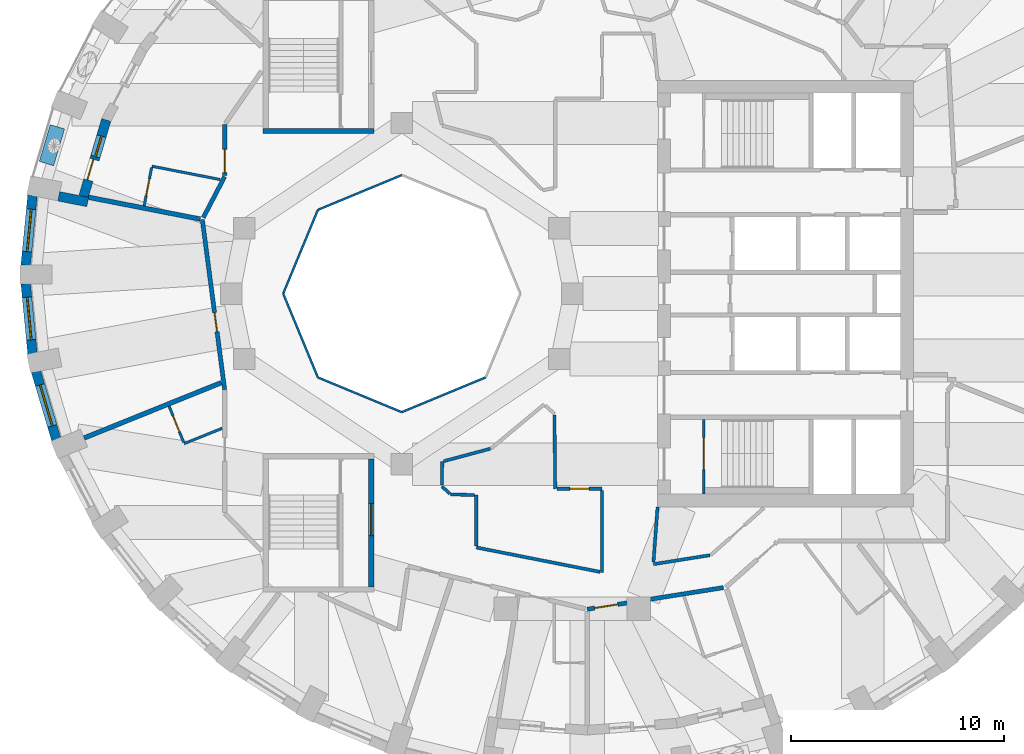
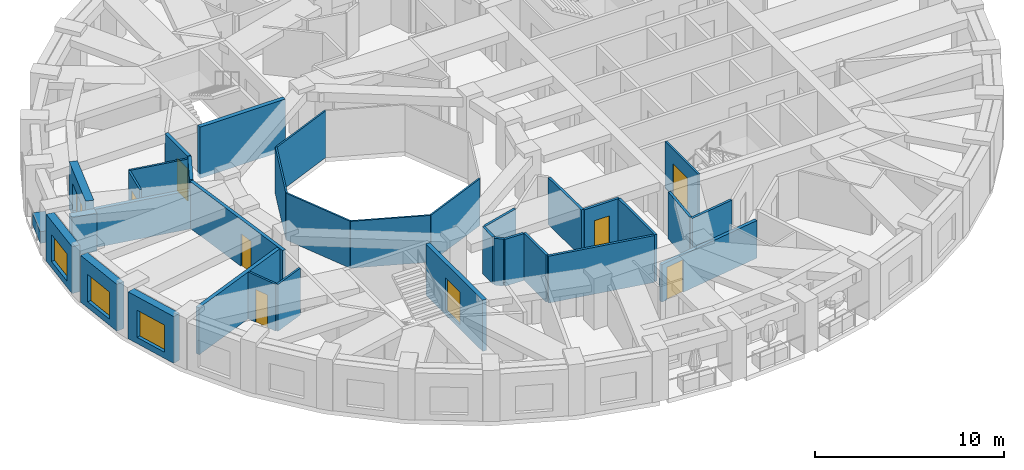
# One storey, part 4 of 12: 35 walls, 9 doors, 4 windows, 13 openings.
"""IFC4 building model written with IfcOpenShell, lengths in metres."""

from ifc_helpers import new_model, si_unit, direction, frame, frame_2d, origin, place, context, subcontext, project, spatial, rectangle, extrude, material, layer, layer_set, constituent, constituent_set, type_object, element, fill, save


model = new_model("IFC4")

# Units and contexts
model_context = context("Model", 3, precision=1e-05, world=origin(), true_north=direction((0.0, 1.0)))
body_context = subcontext(model_context, "Body", "Model", "MODEL_VIEW")
ifc_project = project(units=[si_unit("LENGTHUNIT", "METRE"), si_unit("AREAUNIT", "SQUARE_METRE"), si_unit("VOLUMEUNIT", "CUBIC_METRE"), si_unit("PLANEANGLEUNIT", "RADIAN"), si_unit("MASSUNIT", "GRAM", prefix="KILO")], contexts=[model_context])

# Site, building, storey
site_placement = place(None, origin())
site = spatial("IfcSite", under=ifc_project, at=site_placement, CompositionType="ELEMENT")
building_placement = place(site_placement, origin())
building = spatial("IfcBuilding", under=site, at=building_placement, Name="Taillehof Tower", CompositionType="ELEMENT")
storey_placement = place(building_placement, frame((0.0, 0.0, 199.10009765625)))
storey = spatial("IfcBuildingStorey", under=building, at=storey_placement, Name="L56", CompositionType="ELEMENT", Elevation=199.10009765625)

# Walls
ifc_material_1 = material(Name="Fire-resisting glass in steel frame", Category="steel")
ifc_layer_1 = layer(ifc_material_1, 0.10009765625)
ifc_layer_set_1 = layer_set([ifc_layer_1], Name="Atrium fire-resisting screen EI 60 100")
wall_type_1 = type_object("IfcWallType", Name="Atrium fire-resisting screen EI 60 100", PredefinedType="PARTITIONING", material=ifc_layer_set_1)
for number, where, z_axis, x_axis, name in (
    (1, (-4.07275390625, -3.92724609375, 0.0), (0.0, 0.0, 1.0), (-0.923860025149, -0.382730523909, 0.0), "Atrium screen"),
    (2, (-8.0, -5.55419921875, 0.0), (0.0, 0.0, 1.0), (-0.923860025149, 0.382730523909, 0.0), "Atrium screen"),
    (3, (-11.92724609375, -3.92724609375, 0.0), (0.0, 0.0, 1.0), (-0.382730523909, 0.923860025149, 0.0), "Atrium screen"),
    (4, (-13.55419921875, 0.0, 0.0), (0.0, 0.0, 1.0), (0.382730523909, 0.923860025149, 0.0), "Atrium screen"),
    (5, (-11.92724609375, 3.92724609375, 0.0), (0.0, 0.0, 1.0), (0.923860025149, 0.382730523909, 0.0), "Atrium screen"),
):
    element("IfcWall", number, at=place(storey_placement, frame(where, z_axis=z_axis, x_axis=x_axis)), inside=storey, type_object=wall_type_1, Name=name, PredefinedType="PARTITIONING", context=body_context, shape_type="SweptSolid", body=[
        extrude(rectangle(XDim=4.2509765625, YDim=0.10009765625, at=frame_2d((2.12548828125, 0.0))), origin(), (0.0, 0.0, 1.0), 3.02001953125),
    ])

# Wall, opening, window
ifc_material_2 = material(Name="Brick masonry", Category="masonry")
ifc_layer_2 = layer(ifc_material_2, 0.449951171875)
ifc_layer_set_2 = layer_set([ifc_layer_2], Name="Brick infill wall 450")
wall_type_2 = type_object("IfcWallType", Name="Brick infill wall 450", PredefinedType="SOLIDWALL", material=ifc_layer_set_2)
wall_1_placement = place(storey_placement, frame((-25.313232421875, 4.607666015625, 0.0), z_axis=(0.0, 0.0, 1.0), x_axis=(-0.096824116835, -0.995301507283, 0.0)))
wall_1 = element("IfcWall", 6, at=wall_1_placement, inside=storey, type_object=wall_type_2, Name="Brick wall L56 bay 18", PredefinedType="SOLIDWALL", context=body_context, shape_type="SweptSolid", body=[
    extrude(rectangle(XDim=3.29296875, YDim=0.449951171875, at=frame_2d((1.646484375, 0.0))), origin(), (0.0, 0.0, 1.0), 3.02001953125),
])
opening_1_placement = place(wall_1_placement, frame((0.646484375, 0.0, 0.39990234375)))
opening_1 = element("IfcOpeningElement", 7, at=opening_1_placement, cuts=wall_1, Name="Opening W2", PredefinedType="OPENING", context=body_context, shape_type="SweptSolid", body=[
    extrude(rectangle(XDim=2.0, YDim=1.75, at=frame_2d((1.0, 0.875))), frame((0.0, 0.23486328125, 0.0), z_axis=(0.0, -1.0, 0.0), x_axis=(1.0, 0.0, 0.0)), (0.0, 0.0, 1.0), 0.469970703125),
])
ifc_material_3 = material(Name="Aluminium window frame with clear double glazing", Category="aluminium")
window_type_1 = type_object("IfcWindowType", Name="Deep-set window 2000x1750", PartitioningType="SINGLE_PANEL", PredefinedType="WINDOW", material=ifc_material_3)
window_1_placement = place(opening_1_placement, origin())
window_1 = element("IfcWindow", 8, at=window_1_placement, inside=storey, type_object=window_type_1, Name="W2", OverallHeight=1.75, OverallWidth=2.0, PartitioningType="SINGLE_PANEL", PredefinedType="WINDOW", context=body_context, shape_type="SweptSolid", body=[
    extrude(rectangle(XDim=2.0, YDim=1.75, at=frame_2d((1.0, 0.875))), frame((0.0, 0.034912109375, 0.0), z_axis=(0.0, -1.0, 0.0), x_axis=(1.0, 0.0, 0.0)), (0.0, 0.0, 1.0), 0.06005859375),
])
fill(opening_1, window_1)

wall_2_placement = place(storey_placement, frame((-25.632080078125, 0.469970703125, 0.0), z_axis=(0.0, 0.0, 1.0), x_axis=(0.096816972749, -0.995302202242, 0.0)))
wall_2 = element("IfcWall", 9, at=wall_2_placement, inside=storey, type_object=wall_type_2, Name="Brick wall L56 bay 19", PredefinedType="SOLIDWALL", context=body_context, shape_type="SweptSolid", body=[
    extrude(rectangle(XDim=3.293212890625, YDim=0.449951171875, at=frame_2d((1.646484375, 0.0))), origin(), (0.0, 0.0, 1.0), 3.02001953125),
])
opening_2_placement = place(wall_2_placement, frame((0.646484375, 0.0, 0.39990234375)))
opening_2 = element("IfcOpeningElement", 10, at=opening_2_placement, cuts=wall_2, Name="Opening W2", PredefinedType="OPENING", context=body_context, shape_type="SweptSolid", body=[
    extrude(rectangle(XDim=2.0, YDim=1.75, at=frame_2d((1.0, 0.875))), frame((0.0, 0.23486328125, 0.0), z_axis=(0.0, -1.0, 0.0), x_axis=(1.0, 0.0, 0.0)), (0.0, 0.0, 1.0), 0.469970703125),
])
window_2_placement = place(opening_2_placement, origin())
window_2 = element("IfcWindow", 11, at=window_2_placement, inside=storey, type_object=window_type_1, Name="W2", OverallHeight=1.75, OverallWidth=2.0, PartitioningType="SINGLE_PANEL", PredefinedType="WINDOW", context=body_context, shape_type="SweptSolid", body=[
    extrude(rectangle(XDim=2.0, YDim=1.75, at=frame_2d((1.0, 0.875))), frame((0.0, 0.034912109375, 0.0), z_axis=(0.0, -1.0, 0.0), x_axis=(1.0, 0.0, 0.0)), (0.0, 0.0, 1.0), 0.06005859375),
])
fill(opening_2, window_2)

wall_3_placement = place(storey_placement, frame((-25.148193359375, -3.65185546875, 0.0), z_axis=(0.0, 0.0, 1.0), x_axis=(0.285444972963, -0.958395099847, 0.0)))
wall_3 = element("IfcWall", 12, at=wall_3_placement, inside=storey, type_object=wall_type_2, Name="Brick wall L56 bay 20", PredefinedType="SOLIDWALL", context=body_context, shape_type="SweptSolid", body=[
    extrude(rectangle(XDim=3.3203125, YDim=0.449951171875, at=frame_2d((1.66015625, 0.0))), origin(), (0.0, 0.0, 1.0), 3.02001953125),
])
opening_3_placement = place(wall_3_placement, frame((0.66015625, 0.0, 0.39990234375)))
opening_3 = element("IfcOpeningElement", 13, at=opening_3_placement, cuts=wall_3, Name="Opening W2", PredefinedType="OPENING", context=body_context, shape_type="SweptSolid", body=[
    extrude(rectangle(XDim=2.0, YDim=1.75, at=frame_2d((1.0, 0.875))), frame((0.0, 0.23486328125, 0.0), z_axis=(0.0, -1.0, 0.0), x_axis=(1.0, 0.0, 0.0)), (0.0, 0.0, 1.0), 0.469970703125),
])
window_3_placement = place(opening_3_placement, origin())
window_3 = element("IfcWindow", 14, at=window_3_placement, inside=storey, type_object=window_type_1, Name="W2", OverallHeight=1.75, OverallWidth=2.0, PartitioningType="SINGLE_PANEL", PredefinedType="WINDOW", context=body_context, shape_type="SweptSolid", body=[
    extrude(rectangle(XDim=2.0, YDim=1.75, at=frame_2d((1.0, 0.875))), frame((0.0, 0.034912109375, 0.0), z_axis=(0.0, -1.0, 0.0), x_axis=(1.0, 0.0, 0.0)), (0.0, 0.0, 1.0), 0.06005859375),
])
fill(opening_3, window_3)

# Wall
wall_4_placement = place(storey_placement, frame((-24.086669921875, 4.56298828125, 0.0), z_axis=(0.0, 0.0, 1.0), x_axis=(0.98143579878, -0.191790961394, 0.0)))
element("IfcWall", 15, at=wall_4_placement, inside=storey, type_object=wall_type_2, Name="Brick reveal L56 pocket 4", PredefinedType="SOLIDWALL", context=body_context, shape_type="SweptSolid", body=[
    extrude(rectangle(XDim=1.39013671875, YDim=0.449951171875, at=frame_2d((0.695068359375, 0.0))), origin(), (0.0, 0.0, 1.0), 2.469970703125),
])

# Wall, openings, door, window
wall_5_placement = place(storey_placement, frame((-21.8544921875, 8.146484375, 0.0), z_axis=(0.0, 0.0, 1.0), x_axis=(-0.284757753004, -0.958599510799, 0.0)))
wall_5 = element("IfcWall", 16, at=wall_5_placement, inside=storey, type_object=wall_type_2, Name="Brick wall L56 pocket bay 17", PredefinedType="SOLIDWALL", context=body_context, shape_type="SweptSolid", body=[
    extrude(rectangle(XDim=3.7373046875, YDim=0.449951171875, at=frame_2d((1.86865234375, 0.0))), origin(), (0.0, 0.0, 1.0), 3.02001953125),
])
opening_4_placement = place(wall_5_placement, frame((0.793701171875, 0.0, 0.39990234375)))
opening_4 = element("IfcOpeningElement", 17, at=opening_4_placement, cuts=wall_5, Name="Opening W5", PredefinedType="OPENING", context=body_context, shape_type="SweptSolid", body=[
    extrude(rectangle(XDim=1.0, YDim=1.75, at=frame_2d((0.5, 0.875))), frame((0.0, 0.23486328125, 0.0), z_axis=(0.0, -1.0, 0.0), x_axis=(1.0, 0.0, 0.0)), (0.0, 0.0, 1.0), 0.469970703125),
])
opening_5_placement = place(wall_5_placement, frame((1.943603515625, 0.0, 0.0)))
opening_5 = element("IfcOpeningElement", 18, at=opening_5_placement, cuts=wall_5, Name="Opening D5693", PredefinedType="OPENING", context=body_context, shape_type="SweptSolid", body=[
    extrude(rectangle(XDim=1.0, YDim=2.14990234375, at=frame_2d((0.5, 1.074951171875))), frame((0.0, 0.23486328125, 0.0), z_axis=(0.0, -1.0, 0.0), x_axis=(1.0, 0.0, 0.0)), (0.0, 0.0, 1.0), 0.469970703125),
])
ifc_material_4 = material(Name="Aluminium door frame with clear double glazing", Category="aluminium")
door_type_1 = type_object("IfcDoorType", Name="Balcony door 1000x2150", OperationType="SINGLE_SWING_RIGHT", PredefinedType="DOOR", material=ifc_material_4)
door_1_placement = place(opening_5_placement, frame((1.0, 0.0, 0.0), z_axis=(0.0, 0.0, 1.0), x_axis=(-1.0, 0.0, 0.0)))
door_1 = element("IfcDoor", 19, at=door_1_placement, inside=storey, type_object=door_type_1, Name="Balcony door L56 bay 17", OperationType="SINGLE_SWING_LEFT", OverallHeight=2.14990234375, OverallWidth=1.0, PredefinedType="DOOR", context=body_context, shape_type="SweptSolid", body=[
    extrude(rectangle(XDim=1.0, YDim=2.14990234375, at=frame_2d((0.5, 1.074951171875))), frame((0.0, 0.0751953125, 0.0), z_axis=(0.0, -1.0, 0.0), x_axis=(1.0, 0.0, 0.0)), (0.0, 0.0, 1.0), 0.050048828125),
])
fill(opening_5, door_1)
ifc_material_5 = material(Name="Aluminium window frame with clear double glazing", Category="aluminium")
window_type_2 = type_object("IfcWindowType", Name="Fixed window 1000x1750", PartitioningType="SINGLE_PANEL", PredefinedType="WINDOW", material=ifc_material_5)
window_4_placement = place(opening_4_placement, origin())
window_4 = element("IfcWindow", 20, at=window_4_placement, inside=storey, type_object=window_type_2, Name="W5", OverallHeight=1.75, OverallWidth=1.0, PartitioningType="SINGLE_PANEL", PredefinedType="WINDOW", context=body_context, shape_type="SweptSolid", body=[
    extrude(rectangle(XDim=1.0, YDim=1.75, at=frame_2d((0.5, 0.875))), frame((0.0, 0.034912109375, 0.0), z_axis=(0.0, -1.0, 0.0), x_axis=(1.0, 0.0, 0.0)), (0.0, 0.0, 1.0), 0.06005859375),
])
fill(opening_4, window_4)

# Wall, opening, door
ifc_material_6 = material(Name="Gypsum board on steel studs, two layers each side", Category="steel")
ifc_layer_3 = layer(ifc_material_6, 0.199951171875)
ifc_layer_set_3 = layer_set([ifc_layer_3], Name="Compartment wall corridor 200")
wall_type_3 = type_object("IfcWallType", Name="Compartment wall corridor 200", PredefinedType="PARTITIONING", material=ifc_layer_set_3)
wall_6_placement = place(storey_placement, frame((7.08935546875, -13.785888671875, 0.0), z_axis=(0.0, 0.0, 1.0), x_axis=(-0.987636270411, -0.156762869867, 0.0)))
wall_6 = element("IfcWall", 21, at=wall_6_placement, inside=storey, type_object=wall_type_3, Name="Compartment wall", PredefinedType="PARTITIONING", context=body_context, shape_type="SweptSolid", body=[
    extrude(rectangle(XDim=6.469482421875, YDim=0.199951171875, at=frame_2d((3.23486328125, 0.0))), origin(), (0.0, 0.0, 1.0), 2.419921875),
])
opening_6_placement = place(wall_6_placement, frame((5.015869140625, 0.0, 0.0)))
opening_6 = element("IfcOpeningElement", 22, at=opening_6_placement, cuts=wall_6, Name="Opening D5659", PredefinedType="OPENING", context=body_context, shape_type="SweptSolid", body=[
    extrude(rectangle(XDim=1.10009765625, YDim=2.10009765625, at=frame_2d((0.550048828125, 1.050048828125))), frame((0.0, 0.10986328125, 0.0), z_axis=(0.0, -1.0, 0.0), x_axis=(1.0, 0.0, 0.0)), (0.0, 0.0, 1.0), 0.219970703125),
])
ifc_material_7 = material(Name="Timber door leaf in steel frame", Category="steel")
door_type_2 = type_object("IfcDoorType", Name="Suite entrance door EI 30 1100 x 2100", OperationType="SINGLE_SWING_LEFT", PredefinedType="DOOR", material=ifc_material_7)
door_2_placement = place(opening_6_placement, origin())
door_2 = element("IfcDoor", 23, at=door_2_placement, inside=storey, type_object=door_type_2, Name="D5659", OperationType="SINGLE_SWING_RIGHT", OverallHeight=2.10009765625, OverallWidth=1.10009765625, PredefinedType="DOOR", context=body_context, shape_type="SweptSolid", body=[
    extrude(rectangle(XDim=1.10009765625, YDim=2.10009765625, at=frame_2d((0.550048828125, 1.050048828125))), frame((0.0, 0.02490234375, 0.0), z_axis=(0.0, -1.0, 0.0), x_axis=(1.0, 0.0, 0.0)), (0.0, 0.0, 1.0), 0.050048828125),
])
fill(opening_6, door_2)

wall_7_placement = place(storey_placement, frame((-16.302734375, -4.500732421875, 0.0), z_axis=(0.0, 0.0, 1.0), x_axis=(-0.130191522351, 0.991488864036, 0.0)))
wall_7 = element("IfcWall", 24, at=wall_7_placement, inside=storey, type_object=wall_type_3, Name="Compartment wall", PredefinedType="PARTITIONING", context=body_context, shape_type="SweptSolid", body=[
    extrude(rectangle(XDim=8.044677734375, YDim=0.199951171875, at=frame_2d((4.0224609375, 0.0))), origin(), (0.0, 0.0, 1.0), 3.02001953125),
])
opening_7_placement = place(wall_7_placement, frame((2.737548828125, 0.0, 0.0)))
opening_7 = element("IfcOpeningElement", 25, at=opening_7_placement, cuts=wall_7, Name="Opening D5652", PredefinedType="OPENING", context=body_context, shape_type="SweptSolid", body=[
    extrude(rectangle(XDim=0.89990234375, YDim=2.10009765625, at=frame_2d((0.449951171875, 1.050048828125))), frame((0.0, 0.10986328125, 0.0), z_axis=(0.0, -1.0, 0.0), x_axis=(1.0, 0.0, 0.0)), (0.0, 0.0, 1.0), 0.219970703125),
])
ifc_material_8 = material(Name="Timber door leaf in steel frame", Category="steel")
door_type_3 = type_object("IfcDoorType", Name="Service room door EI 30 900 x 2100", OperationType="SINGLE_SWING_LEFT", PredefinedType="DOOR", material=ifc_material_8)
door_3_placement = place(opening_7_placement, origin())
door_3 = element("IfcDoor", 26, at=door_3_placement, inside=storey, type_object=door_type_3, Name="D5652", OperationType="SINGLE_SWING_LEFT", OverallHeight=2.10009765625, OverallWidth=0.89990234375, PredefinedType="DOOR", context=body_context, shape_type="SweptSolid", body=[
    extrude(rectangle(XDim=0.89990234375, YDim=2.10009765625, at=frame_2d((0.449951171875, 1.050048828125))), frame((0.0, 0.02490234375, 0.0), z_axis=(0.0, -1.0, 0.0), x_axis=(1.0, 0.0, 0.0)), (0.0, 0.0, 1.0), 0.050048828125),
])
fill(opening_7, door_3)

# Wall
wall_8_placement = place(storey_placement, frame((-17.3037109375, 3.564697265625, 0.0), z_axis=(0.0, 0.0, 1.0), x_axis=(0.46212415324, 0.886815238363, 0.0)))
element("IfcWall", 27, at=wall_8_placement, inside=storey, type_object=wall_type_3, Name="Compartment wall", PredefinedType="PARTITIONING", context=body_context, shape_type="SweptSolid", body=[
    extrude(rectangle(XDim=2.171875, YDim=0.199951171875, at=frame_2d((1.0859375, 0.0))), origin(), (0.0, 0.0, 1.0), 3.02001953125),
])

# Wall, opening, door
wall_9_placement = place(storey_placement, frame((-16.300048828125, 5.53076171875, 0.0), z_axis=(0.0, 0.0, 1.0), x_axis=(0.0, 1.0, 0.0)))
wall_9 = element("IfcWall", 28, at=wall_9_placement, inside=storey, type_object=wall_type_3, Name="Compartment wall", PredefinedType="PARTITIONING", context=body_context, shape_type="SweptSolid", body=[
    extrude(rectangle(XDim=2.409423828125, YDim=0.199951171875, at=frame_2d((1.20458984375, 0.0))), origin(), (0.0, 0.0, 1.0), 3.02001953125),
])
opening_8_placement = place(wall_9_placement, frame((0.139892578125, 0.0, 0.0)))
opening_8 = element("IfcOpeningElement", 29, at=opening_8_placement, cuts=wall_9, Name="Opening D5650", PredefinedType="OPENING", context=body_context, shape_type="SweptSolid", body=[
    extrude(rectangle(XDim=1.10009765625, YDim=2.10009765625, at=frame_2d((0.550048828125, 1.050048828125))), frame((0.0, 0.10986328125, 0.0), z_axis=(0.0, -1.0, 0.0), x_axis=(1.0, 0.0, 0.0)), (0.0, 0.0, 1.0), 0.219970703125),
])
door_4_placement = place(opening_8_placement, origin())
door_4 = element("IfcDoor", 30, at=door_4_placement, inside=storey, type_object=door_type_2, Name="D5650", OperationType="SINGLE_SWING_LEFT", OverallHeight=2.10009765625, OverallWidth=1.10009765625, PredefinedType="DOOR", context=body_context, shape_type="SweptSolid", body=[
    extrude(rectangle(XDim=1.10009765625, YDim=2.10009765625, at=frame_2d((0.550048828125, 1.050048828125))), frame((0.0, 0.02490234375, 0.0), z_axis=(0.0, -1.0, 0.0), x_axis=(1.0, 0.0, 0.0)), (0.0, 0.0, 1.0), 0.050048828125),
])
fill(opening_8, door_4)

# Walls
ifc_material_9 = material(Name="Gypsum board on double steel studs with mineral wool", Category="steel")
ifc_layer_4 = layer(ifc_material_9, 0.219970703125)
ifc_layer_set_4 = layer_set([ifc_layer_4], Name="Compartment wall guest room 220")
wall_type_4 = type_object("IfcWallType", Name="Compartment wall guest room 220", PredefinedType="PARTITIONING", material=ifc_layer_set_4)
wall_10_placement = place(storey_placement, frame((-22.69677734375, 4.5205078125, 0.0), z_axis=(0.0, 0.0, 1.0), x_axis=(0.981448712972, -0.19172486486, 0.0)))
element("IfcWall", 31, at=wall_10_placement, inside=storey, type_object=wall_type_4, Name="Compartment wall", PredefinedType="PARTITIONING", context=body_context, shape_type="SweptSolid", body=[
    extrude(rectangle(XDim=5.34814453125, YDim=0.219970703125, at=frame_2d((2.674072265625, 0.0))), origin(), (0.0, 0.0, 1.0), 2.469970703125),
])
wall_11_placement = place(storey_placement, frame((-22.8955078125, -6.771484375, 0.0), z_axis=(0.0, 0.0, 1.0), x_axis=(0.927377440276, 0.374127095073, 0.0)))
element("IfcWall", 32, at=wall_11_placement, inside=storey, type_object=wall_type_4, Name="Compartment wall", PredefinedType="PARTITIONING", context=body_context, shape_type="SweptSolid", body=[
    extrude(rectangle(XDim=6.933349609375, YDim=0.219970703125, at=frame_2d((3.466796875, 0.0))), origin(), (0.0, 0.0, 1.0), 3.02001953125),
])
ifc_material_10 = material(Name="Gypsum board on steel studs, two layers each side", Category="steel")
ifc_layer_5 = layer(ifc_material_10, 0.14990234375)
ifc_layer_set_5 = layer_set([ifc_layer_5], Name="Compartment wall service room 150")
wall_type_5 = type_object("IfcWallType", Name="Compartment wall service room 150", PredefinedType="PARTITIONING", material=ifc_layer_set_5)
wall_12_placement = place(storey_placement, frame((-0.8369140625, -5.69873046875, 0.0), z_axis=(0.0, 0.0, 1.0), x_axis=(0.010681337428, -0.999942952888, 0.0)))
element("IfcWall", 33, at=wall_12_placement, inside=storey, type_object=wall_type_5, Name="Compartment wall", PredefinedType="PARTITIONING", context=body_context, shape_type="SweptSolid", body=[
    extrude(rectangle(XDim=3.451416015625, YDim=0.14990234375, at=frame_2d((1.7255859375, 0.0))), origin(), (0.0, 0.0, 1.0), 3.02001953125),
])

# Wall, opening, door
wall_13_placement = place(storey_placement, frame((-0.719970703125, -9.14990234375, 0.0), z_axis=(0.0, 0.0, 1.0), x_axis=(1.0, 0.0, 0.0)))
wall_13 = element("IfcWall", 34, at=wall_13_placement, inside=storey, type_object=wall_type_5, Name="Compartment wall", PredefinedType="PARTITIONING", context=body_context, shape_type="SweptSolid", body=[
    extrude(rectangle(XDim=2.119873046875, YDim=0.14990234375, at=frame_2d((1.06005859375, 0.0))), origin(), (0.0, 0.0, 1.0), 3.02001953125),
])
opening_9_placement = place(wall_13_placement, frame((0.60986328125, 0.0, 0.0)))
opening_9 = element("IfcOpeningElement", 35, at=opening_9_placement, cuts=wall_13, Name="Opening D5667", PredefinedType="OPENING", context=body_context, shape_type="SweptSolid", body=[
    extrude(rectangle(XDim=0.89990234375, YDim=2.10009765625, at=frame_2d((0.449951171875, 1.050048828125))), frame((0.0, 0.0849609375, 0.0), z_axis=(0.0, -1.0, 0.0), x_axis=(1.0, 0.0, 0.0)), (0.0, 0.0, 1.0), 0.169921875),
])
door_5_placement = place(opening_9_placement, origin())
door_5 = element("IfcDoor", 36, at=door_5_placement, inside=storey, type_object=door_type_3, Name="D5667", OperationType="SINGLE_SWING_LEFT", OverallHeight=2.10009765625, OverallWidth=0.89990234375, PredefinedType="DOOR", context=body_context, shape_type="SweptSolid", body=[
    extrude(rectangle(XDim=0.89990234375, YDim=2.10009765625, at=frame_2d((0.449951171875, 1.050048828125))), frame((0.0, 0.02490234375, 0.0), z_axis=(0.0, -1.0, 0.0), x_axis=(1.0, 0.0, 0.0)), (0.0, 0.0, 1.0), 0.050048828125),
])
fill(opening_9, door_5)

# Walls
wall_14_placement = place(storey_placement, frame((1.39990234375, -9.22998046875, 0.0), z_axis=(0.0, 0.0, 1.0), x_axis=(0.0, -1.0, 0.0)))
element("IfcWall", 37, at=wall_14_placement, inside=storey, type_object=wall_type_5, Name="Compartment wall", PredefinedType="PARTITIONING", context=body_context, shape_type="SweptSolid", body=[
    extrude(rectangle(XDim=3.8388671875, YDim=0.14990234375, at=frame_2d((1.91943359375, 0.0))), origin(), (0.0, 0.0, 1.0), 3.02001953125),
])
wall_15_placement = place(storey_placement, frame((1.30224609375, -13.04931640625, 0.0), z_axis=(0.0, 0.0, 1.0), x_axis=(-0.981063502149, 0.193686356647, 0.0)))
element("IfcWall", 38, at=wall_15_placement, inside=storey, type_object=wall_type_5, Name="Compartment wall", PredefinedType="PARTITIONING", context=body_context, shape_type="SweptSolid", body=[
    extrude(rectangle(XDim=5.914306640625, YDim=0.14990234375, at=frame_2d((2.95703125, 0.0))), origin(), (0.0, 0.0, 1.0), 3.02001953125),
])
wall_16_placement = place(storey_placement, frame((-4.5, -11.82373046875, 0.0), z_axis=(0.0, 0.0, 1.0), x_axis=(0.0, 1.0, 0.0)))
element("IfcWall", 39, at=wall_16_placement, inside=storey, type_object=wall_type_5, Name="Compartment wall", PredefinedType="PARTITIONING", context=body_context, shape_type="SweptSolid", body=[
    extrude(rectangle(XDim=2.373779296875, YDim=0.14990234375, at=frame_2d((1.18701171875, 0.0))), origin(), (0.0, 0.0, 1.0), 3.02001953125),
])
wall_17_placement = place(storey_placement, frame((-4.580078125, -9.447021484375, 0.0), z_axis=(0.0, 0.0, 1.0), x_axis=(-0.999526758156, 0.030761334993, 0.0)))
element("IfcWall", 40, at=wall_17_placement, inside=storey, type_object=wall_type_5, Name="Compartment wall", PredefinedType="PARTITIONING", context=body_context, shape_type="SweptSolid", body=[
    extrude(rectangle(XDim=1.126953125, YDim=0.14990234375, at=frame_2d((0.5634765625, 0.0))), origin(), (0.0, 0.0, 1.0), 3.02001953125),
])
wall_18_placement = place(storey_placement, frame((-5.736328125, -9.385498046875, 0.0), z_axis=(0.0, 0.0, 1.0), x_axis=(-0.740919573429, 0.671593765389, 0.0)))
element("IfcWall", 41, at=wall_18_placement, inside=storey, type_object=wall_type_5, Name="Compartment wall", PredefinedType="PARTITIONING", context=body_context, shape_type="SweptSolid", body=[
    extrude(rectangle(XDim=0.507080078125, YDim=0.14990234375, at=frame_2d((0.25341796875, 0.0))), origin(), (0.0, 0.0, 1.0), 3.02001953125),
])
wall_19_placement = place(storey_placement, frame((-6.111328125, -8.98486328125, 0.0), z_axis=(0.0, 0.0, 1.0), x_axis=(0.010133870444, 0.999948651017, 0.0)))
element("IfcWall", 42, at=wall_19_placement, inside=storey, type_object=wall_type_5, Name="Compartment wall", PredefinedType="PARTITIONING", context=body_context, shape_type="SweptSolid", body=[
    extrude(rectangle(XDim=1.108154296875, YDim=0.14990234375, at=frame_2d((0.55419921875, 0.0))), origin(), (0.0, 0.0, 1.0), 3.02001953125),
])
wall_20_placement = place(storey_placement, frame((-6.02294921875, -7.856201171875, 0.0), z_axis=(0.0, 0.0, 1.0), x_axis=(0.965887119847, 0.25896345633, 0.0)))
element("IfcWall", 43, at=wall_20_placement, inside=storey, type_object=wall_type_5, Name="Compartment wall", PredefinedType="PARTITIONING", context=body_context, shape_type="SweptSolid", body=[
    extrude(rectangle(XDim=2.254150390625, YDim=0.14990234375, at=frame_2d((1.126953125, 0.0))), origin(), (0.0, 0.0, 1.0), 3.02001953125),
])
wall_21_placement = place(storey_placement, frame((6.456787109375, -12.266357421875, 0.0), z_axis=(0.0, 0.0, 1.0), x_axis=(-0.987639766053, -0.156740845063, 0.0)))
element("IfcWall", 44, at=wall_21_placement, inside=storey, type_object=wall_type_5, Name="Compartment wall", PredefinedType="PARTITIONING", context=body_context, shape_type="SweptSolid", body=[
    extrude(rectangle(XDim=2.68994140625, YDim=0.14990234375, at=frame_2d((1.344970703125, 0.0))), origin(), (0.0, 0.0, 1.0), 3.02001953125),
])
wall_22_placement = place(storey_placement, frame((3.807373046875, -12.587890625, 0.0), z_axis=(0.0, 0.0, 1.0), x_axis=(0.07420077159, 0.997243323114, 0.0)))
element("IfcWall", 45, at=wall_22_placement, inside=storey, type_object=wall_type_5, Name="Compartment wall", PredefinedType="PARTITIONING", context=body_context, shape_type="SweptSolid", body=[
    extrude(rectangle(XDim=2.595947265625, YDim=0.14990234375, at=frame_2d((1.2978515625, 0.0))), origin(), (0.0, 0.0, 1.0), 3.02001953125),
])
ifc_material_11 = material(Name="Gypsum board on steel studs, moisture resistant", Category="steel")
ifc_layer_6 = layer(ifc_material_11, 0.1201171875)
ifc_layer_set_6 = layer_set([ifc_layer_6], Name="En-suite wall 120")
wall_type_6 = type_object("IfcWallType", Name="En-suite wall 120", PredefinedType="PARTITIONING", material=ifc_layer_set_6)
wall_23_placement = place(storey_placement, frame((-16.508056640625, 5.34912109375, 0.0), z_axis=(0.0, 0.0, 1.0), x_axis=(-0.981441910277, 0.191759684898, 0.0)))
element("IfcWall", 46, at=wall_23_placement, inside=storey, type_object=wall_type_6, Name="En-suite wall", PredefinedType="PARTITIONING", context=body_context, shape_type="SweptSolid", body=[
    extrude(rectangle(XDim=3.266845703125, YDim=0.1201171875, at=frame_2d((1.63330078125, 0.0))), origin(), (0.0, 0.0, 1.0), 3.02001953125),
])
wall_24_placement = place(storey_placement, frame((-16.418701171875, -6.315185546875, 0.0), z_axis=(0.0, 0.0, 1.0), x_axis=(-0.927358946461, -0.374172933841, 0.0)))
element("IfcWall", 47, at=wall_24_placement, inside=storey, type_object=wall_type_6, Name="En-suite wall", PredefinedType="PARTITIONING", context=body_context, shape_type="SweptSolid", body=[
    extrude(rectangle(XDim=1.920166015625, YDim=0.1201171875, at=frame_2d((0.9599609375, 0.0))), origin(), (0.0, 0.0, 1.0), 3.02001953125),
])

# Wall, opening, door
wall_25_placement = place(storey_placement, frame((-19.725830078125, 5.916748046875, 0.0), z_axis=(0.0, 0.0, 1.0), x_axis=(-0.191830051998, -0.981428158935, 0.0)))
wall_25 = element("IfcWall", 48, at=wall_25_placement, inside=storey, type_object=wall_type_6, Name="En-suite wall", PredefinedType="PARTITIONING", context=body_context, shape_type="SweptSolid", body=[
    extrude(rectangle(XDim=1.830078125, YDim=0.1201171875, at=frame_2d((0.9150390625, 0.0))), origin(), (0.0, 0.0, 1.0), 3.02001953125),
])
opening_10_placement = place(wall_25_placement, frame((0.5400390625, 0.0, 0.0)))
opening_10 = element("IfcOpeningElement", 49, at=opening_10_placement, cuts=wall_25, Name="Opening D5651", PredefinedType="OPENING", context=body_context, shape_type="SweptSolid", body=[
    extrude(rectangle(XDim=0.800048828125, YDim=2.10009765625, at=frame_2d((0.39990234375, 1.050048828125))), frame((0.0, 0.070068359375, 0.0), z_axis=(0.0, -1.0, 0.0), x_axis=(1.0, 0.0, 0.0)), (0.0, 0.0, 1.0), 0.14013671875),
])
ifc_material_12 = material(Name="Timber door leaf in steel frame", Category="steel")
door_type_4 = type_object("IfcDoorType", Name="En-suite door 800 x 2100", OperationType="SINGLE_SWING_LEFT", PredefinedType="DOOR", material=ifc_material_12)
door_6_placement = place(opening_10_placement, origin())
door_6 = element("IfcDoor", 50, at=door_6_placement, inside=storey, type_object=door_type_4, Name="D5651", OperationType="SINGLE_SWING_LEFT", OverallHeight=2.10009765625, OverallWidth=0.800048828125, PredefinedType="DOOR", context=body_context, shape_type="SweptSolid", body=[
    extrude(rectangle(XDim=0.800048828125, YDim=2.10009765625, at=frame_2d((0.39990234375, 1.050048828125))), frame((0.0, 0.02490234375, 0.0), z_axis=(0.0, -1.0, 0.0), x_axis=(1.0, 0.0, 0.0)), (0.0, 0.0, 1.0), 0.050048828125),
])
fill(opening_10, door_6)

wall_26_placement = place(storey_placement, frame((-18.221923828125, -6.97802734375, 0.0), z_axis=(0.0, 0.0, 1.0), x_axis=(-0.374218187905, 0.927340685963, 0.0)))
wall_26 = element("IfcWall", 51, at=wall_26_placement, inside=storey, type_object=wall_type_6, Name="En-suite wall", PredefinedType="PARTITIONING", context=body_context, shape_type="SweptSolid", body=[
    extrude(rectangle(XDim=1.830078125, YDim=0.1201171875, at=frame_2d((0.9150390625, 0.0))), origin(), (0.0, 0.0, 1.0), 3.02001953125),
])
opening_11_placement = place(wall_26_placement, frame((0.5400390625, 0.0, 0.0)))
opening_11 = element("IfcOpeningElement", 52, at=opening_11_placement, cuts=wall_26, Name="Opening D5654", PredefinedType="OPENING", context=body_context, shape_type="SweptSolid", body=[
    extrude(rectangle(XDim=0.800048828125, YDim=2.10009765625, at=frame_2d((0.39990234375, 1.050048828125))), frame((0.0, 0.070068359375, 0.0), z_axis=(0.0, -1.0, 0.0), x_axis=(1.0, 0.0, 0.0)), (0.0, 0.0, 1.0), 0.14013671875),
])
door_7_placement = place(opening_11_placement, origin())
door_7 = element("IfcDoor", 53, at=door_7_placement, inside=storey, type_object=door_type_4, Name="D5654", OperationType="SINGLE_SWING_RIGHT", OverallHeight=2.10009765625, OverallWidth=0.800048828125, PredefinedType="DOOR", context=body_context, shape_type="SweptSolid", body=[
    extrude(rectangle(XDim=0.800048828125, YDim=2.10009765625, at=frame_2d((0.39990234375, 1.050048828125))), frame((0.0, 0.02490234375, 0.0), z_axis=(0.0, -1.0, 0.0), x_axis=(1.0, 0.0, 0.0)), (0.0, 0.0, 1.0), 0.050048828125),
])
fill(opening_11, door_7)

# Wall
ifc_material_13 = material(Name="Concrete C30/37 precast", Category="concrete")
ifc_constituent_1 = constituent(ifc_material_13, Name="Structure", Category="concrete")
ifc_material_14 = material(Name="Insulated lining")
ifc_constituent_2 = constituent(ifc_material_14, Name="Lining")
ifc_constituent_set = constituent_set(constituents=[ifc_constituent_1, ifc_constituent_2], Name="Planter trough 700x750")
wall_type_7 = type_object("IfcWallType", Name="Planter trough 700x750", PredefinedType="USERDEFINED", material=ifc_constituent_set)
wall_27_placement = place(storey_placement, frame((-24.144287109375, 7.823974609375, 0.0), z_axis=(0.0, 0.0, 1.0), x_axis=(-0.285505743157, -0.958376998171, 0.0)))
element("IfcWall", 54, at=wall_27_placement, inside=storey, type_object=wall_type_7, Name="Planter L56 bay 17", ObjectType="PLANTER", PredefinedType="USERDEFINED", context=body_context, shape_type="SweptSolid", body=[
    extrude(rectangle(XDim=1.800048828125, YDim=0.699951171875, at=frame_2d((0.89990234375, 0.0))), origin(), (0.0, 0.0, 1.0), 0.75),
])

# Wall, opening, door
ifc_material_15 = material(Name="Concrete C50/60", Category="concrete")
ifc_layer_7 = layer(ifc_material_15, 0.1201171875)
ifc_layer_set_7 = layer_set([ifc_layer_7], Name="Stair lobby wall C50/60 120")
wall_type_8 = type_object("IfcWallType", Name="Stair lobby wall C50/60 120", PredefinedType="SHEAR", material=ifc_layer_set_7)
wall_28_placement = place(storey_placement, frame((6.159912109375, -9.39990234375, 0.0), z_axis=(0.0, 0.0, 1.0), x_axis=(0.0, 1.0, 0.0)))
wall_28 = element("IfcWall", 55, at=wall_28_placement, inside=storey, type_object=wall_type_8, Name="Compartment wall SW", PredefinedType="SHEAR", context=body_context, shape_type="SweptSolid", body=[
    extrude(rectangle(XDim=3.5, YDim=0.1201171875, at=frame_2d((1.75, 0.0))), origin(), (0.0, 0.0, 1.0), 3.02001953125),
])
opening_12_placement = place(wall_28_placement, frame((1.14990234375, 0.0, 0.0)))
opening_12 = element("IfcOpeningElement", 56, at=opening_12_placement, cuts=wall_28, Name="Opening D5611", PredefinedType="OPENING", context=body_context, shape_type="SweptSolid", body=[
    extrude(rectangle(XDim=1.5, YDim=2.10009765625, at=frame_2d((0.75, 1.050048828125))), frame((0.0, 0.070068359375, 0.0), z_axis=(0.0, -1.0, 0.0), x_axis=(1.0, 0.0, 0.0)), (0.0, 0.0, 1.0), 0.14013671875),
])
ifc_material_16 = material(Name="Steel-faced fire door", Category="steel")
door_type_5 = type_object("IfcDoorType", Name="Stair door 1500x2100", OperationType="DOUBLE_DOOR_SINGLE_SWING", PredefinedType="DOOR", material=ifc_material_16)
door_8_placement = place(opening_12_placement, origin())
door_8 = element("IfcDoor", 57, at=door_8_placement, inside=storey, type_object=door_type_5, Name="Stair lobby door S2", OperationType="DOUBLE_DOOR_SINGLE_SWING", OverallHeight=2.10009765625, OverallWidth=1.5, PredefinedType="DOOR", context=body_context, shape_type="SweptSolid", body=[
    extrude(rectangle(XDim=1.5, YDim=2.10009765625, at=frame_2d((0.75, 1.050048828125))), frame((0.0, 0.02490234375, 0.0), z_axis=(0.0, -1.0, 0.0), x_axis=(1.0, 0.0, 0.0)), (0.0, 0.0, 1.0), 0.050048828125),
])
fill(opening_12, door_8)

# Wall
ifc_material_17 = material(Name="Concrete C50/60", Category="concrete")
ifc_layer_8 = layer(ifc_material_17, 0.25)
ifc_layer_set_8 = layer_set([ifc_layer_8], Name="Stair wall C50/60 250")
wall_type_9 = type_object("IfcWallType", Name="Stair wall C50/60 250", PredefinedType="SHEAR", material=ifc_layer_set_8)
wall_29_placement = place(storey_placement, frame((-14.5, 7.625, -0.280029296875), z_axis=(0.0, 0.0, 1.0), x_axis=(1.0, 0.0, 0.0)))
element("IfcWall", 58, at=wall_29_placement, inside=storey, type_object=wall_type_9, Name="Stair wall SC", PredefinedType="SHEAR", context=body_context, shape_type="SweptSolid", body=[
    extrude(rectangle(XDim=5.199951171875, YDim=0.25, at=frame_2d((2.60009765625, 0.0))), origin(), (0.0, 0.0, 1.0), 3.300048828125),
])

# Wall, opening, door
wall_30_placement = place(storey_placement, frame((-9.425048828125, -13.75, -0.280029296875), z_axis=(0.0, 0.0, 1.0), x_axis=(0.0, 1.0, 0.0)))
wall_30 = element("IfcWall", 59, at=wall_30_placement, inside=storey, type_object=wall_type_9, Name="Stair wall SC", PredefinedType="SHEAR", context=body_context, shape_type="SweptSolid", body=[
    extrude(rectangle(XDim=6.0, YDim=0.25, at=frame_2d((3.0, 0.0))), origin(), (0.0, 0.0, 1.0), 3.300048828125),
])
opening_13_placement = place(wall_30_placement, frame((2.39990234375, 0.0, 0.280029296875)))
opening_13 = element("IfcOpeningElement", 60, at=opening_13_placement, cuts=wall_30, Name="Opening D5616", PredefinedType="OPENING", context=body_context, shape_type="SweptSolid", body=[
    extrude(rectangle(XDim=1.5, YDim=2.10009765625, at=frame_2d((0.75, 1.050048828125))), frame((0.0, 0.135009765625, 0.0), z_axis=(0.0, -1.0, 0.0), x_axis=(1.0, 0.0, 0.0)), (0.0, 0.0, 1.0), 0.27001953125),
])
door_9_placement = place(opening_13_placement, origin())
door_9 = element("IfcDoor", 61, at=door_9_placement, inside=storey, type_object=door_type_5, Name="Stair door S4", OperationType="DOUBLE_DOOR_SINGLE_SWING", OverallHeight=2.10009765625, OverallWidth=1.5, PredefinedType="DOOR", context=body_context, shape_type="SweptSolid", body=[
    extrude(rectangle(XDim=1.5, YDim=2.10009765625, at=frame_2d((0.75, 1.050048828125))), frame((0.0, 0.02490234375, 0.0), z_axis=(0.0, -1.0, 0.0), x_axis=(1.0, 0.0, 0.0)), (0.0, 0.0, 1.0), 0.050048828125),
])
fill(opening_13, door_9)

save(model, "model.ifc")
